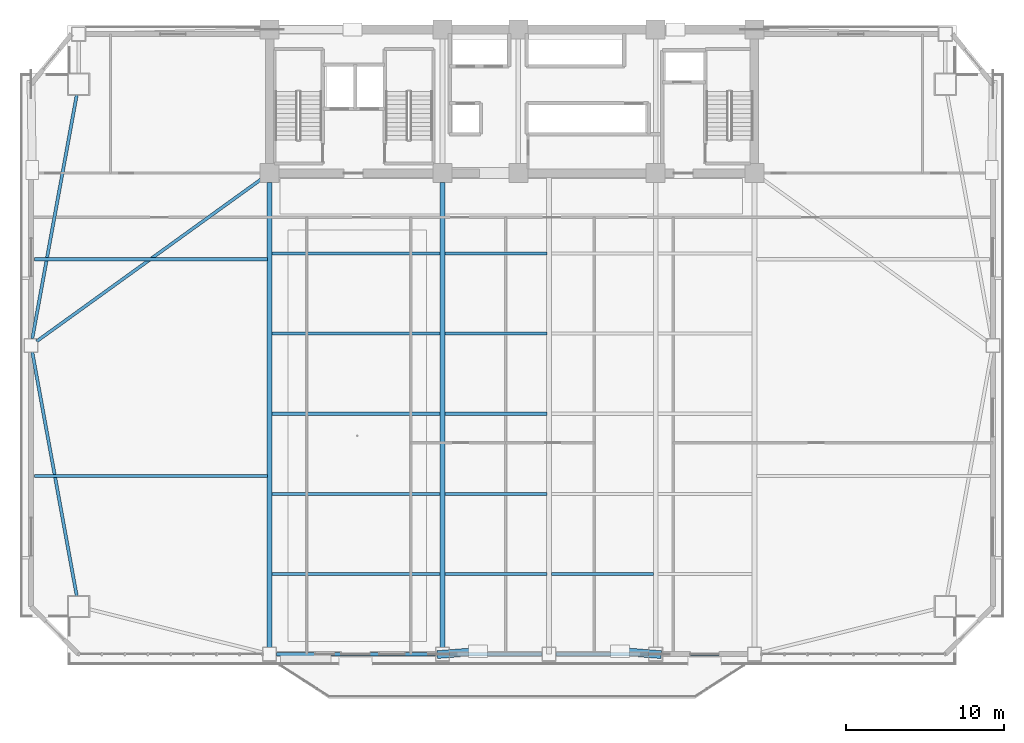
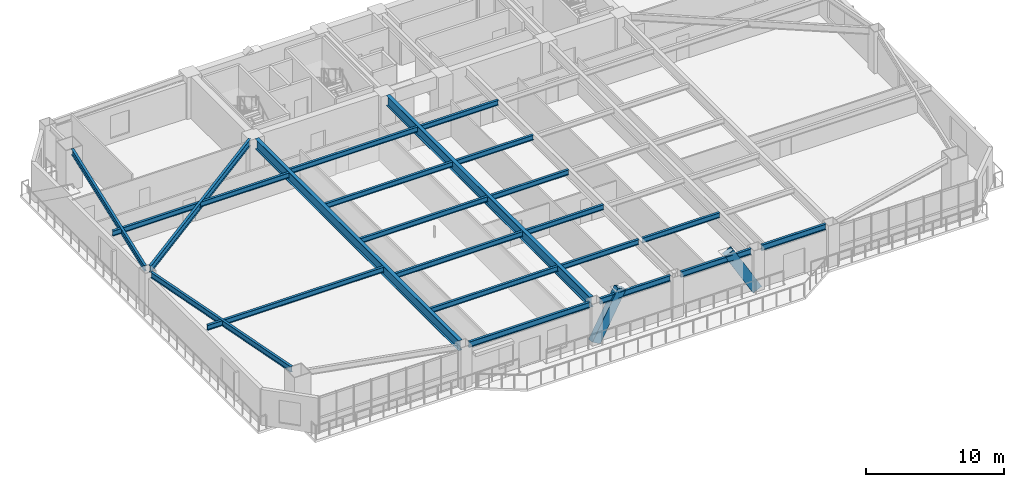
# One storey, part 3 of 15: 22 beams, 2 members.
"""IFC4 building model written with IfcOpenShell, lengths in metres."""

from ifc_helpers import new_model, si_unit, direction, frame, origin, origin_2d, place, context, subcontext, project, spatial, hollow_rectangle, i_section, extrude, source, transform, mapped, material, material_profile, profile_set, type_object, element, save


model = new_model("IFC4")

# Units and contexts
model_context = context("Model", 3, precision=1e-05, world=origin(), true_north=direction((0.0, 1.0)))
body_context = subcontext(model_context, "Body", "Model", "MODEL_VIEW")
ifc_project = project(units=[si_unit("LENGTHUNIT", "METRE"), si_unit("AREAUNIT", "SQUARE_METRE"), si_unit("VOLUMEUNIT", "CUBIC_METRE"), si_unit("PLANEANGLEUNIT", "RADIAN"), si_unit("MASSUNIT", "GRAM", prefix="KILO")], contexts=[model_context])

# Site, building, storey
site_placement = place(None, origin())
site = spatial("IfcSite", under=ifc_project, at=site_placement, CompositionType="ELEMENT")
building_placement = place(site_placement, origin())
building = spatial("IfcBuilding", under=site, at=building_placement, Name="Giltprow Tower", CompositionType="ELEMENT")
storey_placement = place(building_placement, frame((0.0, 0.0, 111.39990234375)))
storey = spatial("IfcBuildingStorey", under=building, at=storey_placement, Name="L27", CompositionType="ELEMENT", Elevation=111.39990234375)

# Beams
ifc_material_1 = material(Name="Structural steel Q355B", Category="steel")
ifc_material_profile_1 = material_profile(ifc_material_1, i_section(OverallWidth=0.199951171875, OverallDepth=0.449951171875, WebThickness=0.009033203125, FlangeThickness=0.013916015625, at=origin_2d()), Name="HN 450x200x9x14")
ifc_profile_set_1 = profile_set([ifc_material_profile_1], Name="Structural steel Q355B")
beam_type_1 = type_object("IfcBeamType", Name="BM-JOIST-HN450", PredefinedType="JOIST", material=ifc_profile_set_1)
shared_shape_1 = source(origin(), body_context, "Body", "SweptSolid", [
    extrude(i_section(OverallWidth=0.199951171875, OverallDepth=0.449951171875, WebThickness=0.009033203125, FlangeThickness=0.013916015625, at=origin_2d()), origin(), (0.0, 0.0, 1.0), 10.659912109375),
])
for number, where, z_axis, x_axis, name in (
    (1, (19.9951171875, 12.06689453125, 3.455078125), (1.0, 0.0, 0.0), (0.0, 1.0, 0.0), "L27 Composite Floor Joist 1-1"),
    (2, (19.9951171875, 17.14306640625, 3.455078125), (1.0, 0.0, 0.0), (0.0, 1.0, 0.0), "L27 Composite Floor Joist 2-1"),
    (3, (19.9951171875, 22.219970703125, 3.455078125), (1.0, 0.0, 0.0), (0.0, 1.0, 0.0), "L27 Composite Floor Joist 3-1"),
    (4, (19.9951171875, 27.297119140625, 3.455078125), (1.0, 0.0, 0.0), (0.0, 1.0, 0.0), "L27 Composite Floor Joist 4-1"),
    (5, (19.9951171875, 32.373046875, 3.455078125), (1.0, 0.0, 0.0), (0.0, 1.0, 0.0), "L27 Composite Floor Joist 5-1"),
):
    element("IfcBeam", number, at=place(storey_placement, frame(where, z_axis=z_axis, x_axis=x_axis)), inside=storey, type_object=beam_type_1, Name=name, PredefinedType="JOIST", context=body_context, shape_type="MappedRepresentation", body=[
        mapped(shared_shape_1, transform((0.0, 0.0, 0.0), x_axis=(1.0, 0.0, 0.0), y_axis=(0.0, 1.0, 0.0), z_axis=(0.0, 0.0, 1.0), scale=1.0)),
    ])
shared_shape_2 = source(origin(), body_context, "Body", "SweptSolid", [
    extrude(i_section(OverallWidth=0.199951171875, OverallDepth=0.449951171875, WebThickness=0.009033203125, FlangeThickness=0.013916015625, at=origin_2d()), origin(), (0.0, 0.0, 1.0), 6.4599609375),
])
for number, where, z_axis, x_axis, name in (
    (6, (30.945068359375, 12.06689453125, 3.455078125), (1.0, 0.0, 0.0), (0.0, 1.0, 0.0), "L27 Composite Floor Joist 1-2"),
    (7, (37.695068359375, 12.06689453125, 3.455078125), (1.0, 0.0, 0.0), (0.0, 1.0, 0.0), "L27 Composite Floor Joist 1-3"),
    (8, (30.945068359375, 17.14306640625, 3.455078125), (1.0, 0.0, 0.0), (0.0, 1.0, 0.0), "L27 Composite Floor Joist 2-2"),
    (9, (30.945068359375, 22.219970703125, 3.455078125), (1.0, 0.0, 0.0), (0.0, 1.0, 0.0), "L27 Composite Floor Joist 3-2"),
    (10, (30.945068359375, 27.297119140625, 3.455078125), (1.0, 0.0, 0.0), (0.0, 1.0, 0.0), "L27 Composite Floor Joist 4-2"),
    (11, (30.945068359375, 32.373046875, 3.455078125), (1.0, 0.0, 0.0), (0.0, 1.0, 0.0), "L27 Composite Floor Joist 5-2"),
):
    element("IfcBeam", number, at=place(storey_placement, frame(where, z_axis=z_axis, x_axis=x_axis)), inside=storey, type_object=beam_type_1, Name=name, PredefinedType="JOIST", context=body_context, shape_type="MappedRepresentation", body=[
        mapped(shared_shape_2, transform((0.0, 0.0, 0.0), x_axis=(1.0, 0.0, 0.0), y_axis=(0.0, 1.0, 0.0), z_axis=(0.0, 0.0, 1.0), scale=1.0)),
    ])
ifc_material_profile_2 = material_profile(ifc_material_1, i_section(OverallWidth=0.199951171875, OverallDepth=0.5, WebThickness=0.010009765625, FlangeThickness=0.01611328125, at=origin_2d()), Name="HN 500x200x10x16")
ifc_profile_set_2 = profile_set([ifc_material_profile_2], Name="Structural steel Q355B")
beam_type_2 = type_object("IfcBeamType", Name="BM-SPAN-HN500", PredefinedType="SPANDREL", material=ifc_profile_set_2)
shared_shape_3 = source(origin(), body_context, "Body", "SweptSolid", [
    extrude(i_section(OverallWidth=0.199951171875, OverallDepth=0.5, WebThickness=0.010009765625, FlangeThickness=0.01611328125, at=origin_2d()), origin(), (0.0, 0.0, 1.0), 10.080078125),
])
beam_1_placement = place(storey_placement, frame((20.284912109375, 6.989990234375, 3.43017578125), z_axis=(1.0, 0.0, 0.0), x_axis=(0.0, 1.0, 0.0)))
element("IfcBeam", 12, at=beam_1_placement, inside=storey, type_object=beam_type_2, Name="L27 Perimeter Spandrel Beam S1-S2", PredefinedType="SPANDREL", context=body_context, shape_type="MappedRepresentation", body=[
    mapped(shared_shape_3, transform((0.0, 0.0, 0.0), x_axis=(1.0, 0.0, 0.0), y_axis=(0.0, 1.0, 0.0), z_axis=(0.0, 0.0, 1.0), scale=1.0)),
])
shared_shape_4 = source(origin(), body_context, "Body", "SweptSolid", [
    extrude(i_section(OverallWidth=0.199951171875, OverallDepth=0.5, WebThickness=0.010009765625, FlangeThickness=0.01611328125, at=origin_2d()), origin(), (0.0, 0.0, 1.0), 5.8798828125),
])
for number, where, z_axis, x_axis, name in (
    (13, (31.235107421875, 6.989990234375, 3.43017578125), (1.0, 0.0, 0.0), (0.0, 1.0, 0.0), "L27 Perimeter Spandrel Beam S2-S_MID"),
    (14, (37.985107421875, 6.989990234375, 3.43017578125), (1.0, 0.0, 0.0), (0.0, 1.0, 0.0), "L27 Perimeter Spandrel Beam S_MID-S3"),
):
    element("IfcBeam", number, at=place(storey_placement, frame(where, z_axis=z_axis, x_axis=x_axis)), inside=storey, type_object=beam_type_2, Name=name, PredefinedType="SPANDREL", context=body_context, shape_type="MappedRepresentation", body=[
        mapped(shared_shape_4, transform((0.0, 0.0, 0.0), x_axis=(1.0, 0.0, 0.0), y_axis=(0.0, 1.0, 0.0), z_axis=(0.0, 0.0, 1.0), scale=1.0)),
    ])
shared_shape_5 = source(origin(), body_context, "Body", "SweptSolid", [
    extrude(i_section(OverallWidth=0.199951171875, OverallDepth=0.5, WebThickness=0.010009765625, FlangeThickness=0.01611328125, at=origin_2d()), origin(), (0.0, 0.0, 1.0), 5.3798828125),
])
beam_2_placement = place(storey_placement, frame((44.735107421875, 6.989990234375, 3.43017578125), z_axis=(1.0, 0.0, 0.0), x_axis=(0.0, 1.0, 0.0)))
element("IfcBeam", 15, at=beam_2_placement, inside=storey, type_object=beam_type_2, Name="L27 Perimeter Spandrel Beam S3-S4", PredefinedType="SPANDREL", context=body_context, shape_type="MappedRepresentation", body=[
    mapped(shared_shape_5, transform((0.0, 0.0, 0.0), x_axis=(1.0, 0.0, 0.0), y_axis=(0.0, 1.0, 0.0), z_axis=(0.0, 0.0, 1.0), scale=1.0)),
])
shared_shape_6 = source(origin(), body_context, "Body", "SweptSolid", [
    extrude(i_section(OverallWidth=0.199951171875, OverallDepth=0.5, WebThickness=0.010009765625, FlangeThickness=0.01611328125, at=origin_2d()), origin(), (0.0, 0.0, 1.0), 15.690673828125),
])
for number, where, z_axis, x_axis, name in (
    (16, (7.637939453125, 42.408935546875, 3.43017578125), (-0.179463224787, -0.983764682711, 0.0), (0.983764682711, -0.179463224787, 0.0), "L27 Perimeter Spandrel Beam MC_NW-W_MID"),
    (17, (4.822021484375, 26.116943359375, 3.43017578125), (0.179463224787, -0.983764682711, 0.0), (0.983764682711, 0.179463224787, 0.0), "L27 Perimeter Spandrel Beam W_MID-MC_SW"),
):
    element("IfcBeam", number, at=place(storey_placement, frame(where, z_axis=z_axis, x_axis=x_axis)), inside=storey, type_object=beam_type_2, Name=name, PredefinedType="SPANDREL", context=body_context, shape_type="MappedRepresentation", body=[
        mapped(shared_shape_6, transform((0.0, 0.0, 0.0), x_axis=(1.0, 0.0, 0.0), y_axis=(0.0, 1.0, 0.0), z_axis=(0.0, 0.0, 1.0), scale=1.0)),
    ])
ifc_material_profile_3 = material_profile(ifc_material_1, i_section(OverallWidth=0.300048828125, OverallDepth=0.89990234375, WebThickness=0.01611328125, FlangeThickness=0.028076171875, at=origin_2d()), Name="HN 900x300x16x28")
ifc_profile_set_3 = profile_set([ifc_material_profile_3], Name="Structural steel Q355B")
beam_type_3 = type_object("IfcBeamType", Name="BM-GIRD-HN900", PredefinedType="BEAM", material=ifc_profile_set_3)
shared_shape_7 = source(origin(), body_context, "Body", "SweptSolid", [
    extrude(i_section(OverallWidth=0.300048828125, OverallDepth=0.89990234375, WebThickness=0.01611328125, FlangeThickness=0.028076171875, at=origin_2d()), origin(), (0.0, 0.0, 1.0), 29.43994140625),
])
for number, where, z_axis, x_axis, name in (
    (18, (19.85009765625, 7.425048828125, 3.22998046875), (0.0, 1.0, 0.0), (-1.0, 0.0, 0.0), "L27 Primary Lease Girder S1"),
    (19, (30.800048828125, 7.425048828125, 3.22998046875), (0.0, 1.0, 0.0), (-1.0, 0.0, 0.0), "L27 Primary Lease Girder S2"),
):
    element("IfcBeam", number, at=place(storey_placement, frame(where, z_axis=z_axis, x_axis=x_axis)), inside=storey, type_object=beam_type_3, Name=name, PredefinedType="BEAM", context=body_context, shape_type="MappedRepresentation", body=[
        mapped(shared_shape_7, transform((0.0, 0.0, 0.0), x_axis=(1.0, 0.0, 0.0), y_axis=(0.0, 1.0, 0.0), z_axis=(0.0, 0.0, 1.0), scale=1.0)),
    ])
ifc_material_profile_4 = material_profile(ifc_material_1, i_section(OverallWidth=0.199951171875, OverallDepth=0.60009765625, WebThickness=0.010986328125, FlangeThickness=0.01708984375, at=origin_2d()), Name="HN 600x200x11x17")
ifc_profile_set_4 = profile_set([ifc_material_profile_4], Name="Structural steel Q355B")
beam_type_4 = type_object("IfcBeamType", Name="BM-GIRD-HN600", PredefinedType="BEAM", material=ifc_profile_set_4)
shared_shape_8 = source(origin(), body_context, "Body", "SweptSolid", [
    extrude(i_section(OverallWidth=0.199951171875, OverallDepth=0.60009765625, WebThickness=0.010986328125, FlangeThickness=0.01708984375, at=origin_2d()), origin(), (0.0, 0.0, 1.0), 17.61083984375),
])
beam_3_placement = place(storey_placement, frame((5.096923828125, 26.800048828125, 3.380126953125), z_axis=(0.810808250373, 0.585311866552, 0.0), x_axis=(-0.585311866552, 0.810808250373, 0.0)))
element("IfcBeam", 20, at=beam_3_placement, inside=storey, type_object=beam_type_4, Name="L27 West Wing Primary Girder", PredefinedType="BEAM", context=body_context, shape_type="MappedRepresentation", body=[
    mapped(shared_shape_8, transform((0.0, 0.0, 0.0), x_axis=(1.0, 0.0, 0.0), y_axis=(0.0, 1.0, 0.0), z_axis=(0.0, 0.0, 1.0), scale=1.0)),
])
shared_shape_9 = source(origin(), body_context, "Body", "SweptSolid", [
    extrude(i_section(OverallWidth=0.199951171875, OverallDepth=0.449951171875, WebThickness=0.009033203125, FlangeThickness=0.013916015625, at=origin_2d()), origin(), (0.0, 0.0, 1.0), 14.740966796875),
])
for number, where, z_axis, x_axis, name in (
    (21, (4.964111328125, 18.27587890625, 3.455078125), (1.0, 0.0, 0.0), (0.0, 1.0, 0.0), "L27 West Wing Floor Joist 1"),
    (22, (4.964111328125, 31.998046875, 3.455078125), (1.0, 0.0, 0.0), (0.0, 1.0, 0.0), "L27 West Wing Floor Joist 2"),
):
    element("IfcBeam", number, at=place(storey_placement, frame(where, z_axis=z_axis, x_axis=x_axis)), inside=storey, type_object=beam_type_1, Name=name, PredefinedType="JOIST", context=body_context, shape_type="MappedRepresentation", body=[
        mapped(shared_shape_9, transform((0.0, 0.0, 0.0), x_axis=(1.0, 0.0, 0.0), y_axis=(0.0, 1.0, 0.0), z_axis=(0.0, 0.0, 1.0), scale=1.0)),
    ])

# Members
ifc_material_2 = material(Name="Structural steel Q420GJC", Category="steel")
ifc_material_profile_5 = material_profile(ifc_material_2, hollow_rectangle(XDim=0.5, YDim=0.800048828125, WallThickness=0.035888671875, at=origin_2d()), Name="RHS 800x500x36")
ifc_profile_set_5 = profile_set([ifc_material_profile_5], Name="Structural steel Q420GJC")
member_type = type_object("IfcMemberType", Name="MBR-MEGA-RHS800", PredefinedType="BRACE", material=ifc_profile_set_5)
shared_shape_10 = source(origin(), body_context, "Body", "SweptSolid", [
    extrude(hollow_rectangle(XDim=0.5, YDim=0.800048828125, WallThickness=0.035888671875, at=origin_2d()), origin(), (0.0, 0.0, 1.0), 4.506103515625),
])
for number, where, z_axis, x_axis, name in (
    (23, (30.800048828125, 6.989990234375, 0.0), (0.499326947397, 0.039064098207, 0.865532550419), (-0.077995186993, 0.996953735539, 0.0), "L27 Chevron Mega-Brace S-L"),
    (24, (44.300048828125, 6.989990234375, 0.0), (-0.499326947397, 0.039064098207, 0.865532550419), (-0.077995186993, -0.996953735539, 0.0), "L27 Chevron Mega-Brace S-R"),
):
    element("IfcMember", number, at=place(storey_placement, frame(where, z_axis=z_axis, x_axis=x_axis)), inside=storey, type_object=member_type, Name=name, PredefinedType="BRACE", context=body_context, shape_type="MappedRepresentation", body=[
        mapped(shared_shape_10, transform((0.0, 0.0, 0.0), x_axis=(1.0, 0.0, 0.0), y_axis=(0.0, 1.0, 0.0), z_axis=(0.0, 0.0, 1.0), scale=1.0)),
    ])

save(model, "model.ifc")
